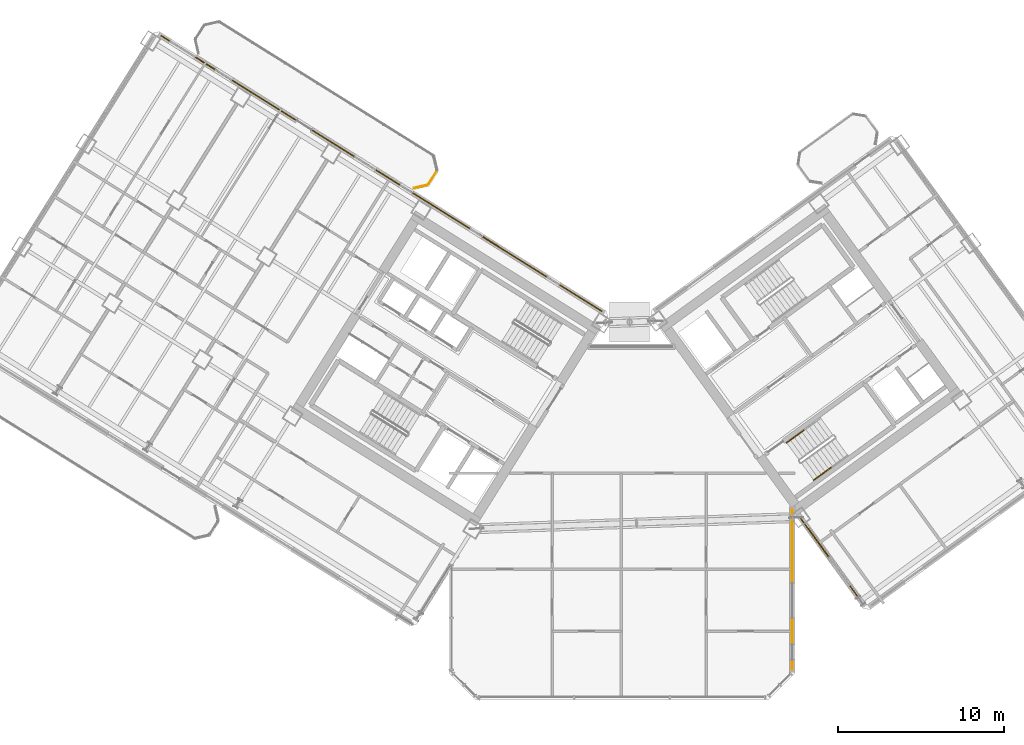
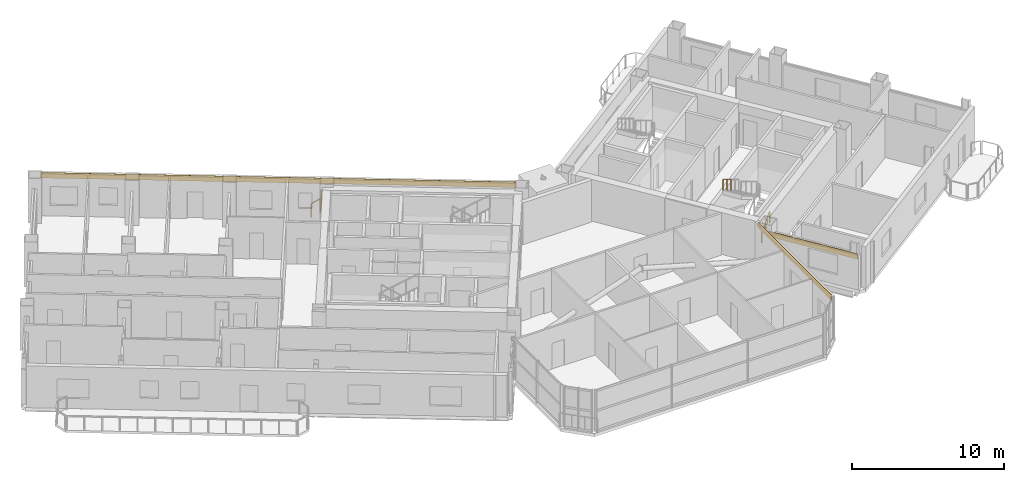
# One storey, part 26 of 29: 4 railings, 3 coverings.
"""IFC4 building model written with IfcOpenShell, lengths in metres."""

from ifc_helpers import new_model, si_unit, direction, frame, origin, origin_2d, place, context, subcontext, project, spatial, rectangle, extrude, source, transform, mapped, material, layer, layer_set, type_object, element, save


model = new_model("IFC4")

# Units and contexts
model_context = context("Model", 3, precision=1e-05, world=origin(), true_north=direction((0.0, 1.0)))
body_context = subcontext(model_context, "Body", "Model", "MODEL_VIEW")
ifc_project = project(units=[si_unit("LENGTHUNIT", "METRE"), si_unit("AREAUNIT", "SQUARE_METRE"), si_unit("VOLUMEUNIT", "CUBIC_METRE"), si_unit("PLANEANGLEUNIT", "RADIAN"), si_unit("MASSUNIT", "GRAM", prefix="KILO")], contexts=[model_context])

# Site, building, storey
site_placement = place(None, origin())
site = spatial("IfcSite", under=ifc_project, at=site_placement, CompositionType="ELEMENT")
building_placement = place(site_placement, origin())
building = spatial("IfcBuilding", under=site, at=building_placement, Name="Tlacorven Tower", CompositionType="ELEMENT")
storey_placement = place(building_placement, frame((0.0, 0.0, 151.5)))
storey = spatial("IfcBuildingStorey", under=building, at=storey_placement, Name="L38", CompositionType="ELEMENT", Elevation=151.5)

# Railings
ifc_material_1 = material(Name="Aluminium and painted steel balustrade", Category="steel")
railing_type_1 = type_object("IfcRailingType", Name="RL-BAL-1100", PredefinedType="BALUSTRADE", material=ifc_material_1)
shared_shape_1 = source(origin(), body_context, "Body", "SweptSolid", [
    extrude(rectangle(XDim=0.048095703125, YDim=0.048095703125, at=origin_2d()), frame((0.0, 0.0, 1.076171875), z_axis=(-0.52987865805, -0.848073468364, 0.0), x_axis=(0.848073468364, -0.52987865805, 0.0)), (0.0, 0.0, 1.0), 0.912353515625),
    extrude(rectangle(XDim=0.0419921875, YDim=0.0419921875, at=origin_2d()), origin(), (0.0, 0.0, 1.0), 1.052001953125),
    extrude(rectangle(XDim=0.0419921875, YDim=0.0419921875, at=origin_2d()), frame((-0.4833984375, -0.773681640625, 0.0)), (0.0, 0.0, 1.0), 1.052001953125),
])
railing_1_placement = place(storey_placement, frame((30.845947265625, 33.588623046875, 0.0)))
element("IfcRailing", 1, at=railing_1_placement, inside=storey, type_object=railing_type_1, Name="BAL-L38-W-IN Guard Railing 2", PredefinedType="BALUSTRADE", context=body_context, shape_type="MappedRepresentation", body=[
    mapped(shared_shape_1, transform((0.0, 0.0, 0.0), scale=1.0)),
])
shared_shape_2 = source(origin(), body_context, "Body", "SweptSolid", [
    extrude(rectangle(XDim=0.048095703125, YDim=0.048095703125, at=origin_2d()), frame((0.0, 0.0, 1.076171875), z_axis=(-0.974345290916, -0.225058334816, 0.0), x_axis=(0.225058334816, -0.974345290916, 0.0)), (0.0, 0.0, 1.0), 0.80712890625),
    extrude(rectangle(XDim=0.0419921875, YDim=0.0419921875, at=origin_2d()), origin(), (0.0, 0.0, 1.0), 1.052001953125),
    extrude(rectangle(XDim=0.0419921875, YDim=0.0419921875, at=origin_2d()), frame((-0.786376953125, -0.181640625, 0.0)), (0.0, 0.0, 1.0), 1.052001953125),
])
railing_2_placement = place(storey_placement, frame((30.287353515625, 32.761474609375, 0.0)))
element("IfcRailing", 2, at=railing_2_placement, inside=storey, type_object=railing_type_1, Name="BAL-L38-W-IN Guard Railing 3", PredefinedType="BALUSTRADE", context=body_context, shape_type="MappedRepresentation", body=[
    mapped(shared_shape_2, transform((0.0, 0.0, 0.0), scale=1.0)),
])

# Coverings
ifc_material_2 = material(Name="Precast concrete C45/55", Category="concrete")
ifc_layer = layer(ifc_material_2, 0.06005859375)
ifc_layer_set = layer_set([ifc_layer], Name="Precast concrete C45/55")
covering_type = type_object("IfcCoveringType", Name="CV-CLD-TERC", PredefinedType="CLADDING", material=ifc_layer_set)
shared_shape_3 = source(origin(), body_context, "Body", "SweptSolid", [
    extrude(rectangle(XDim=31.287353515625, YDim=0.06005859375, at=origin_2d()), origin(), (0.0, 0.0, 1.0), 0.419921875),
])
covering_1_placement = place(storey_placement, frame((27.5322265625, 33.455810546875, 2.929931640625), z_axis=(0.0, 0.0, 1.0), x_axis=(0.84804812172, -0.529919223323, 0.0)))
element("IfcCovering", 3, at=covering_1_placement, inside=storey, type_object=covering_type, Name="L38 Masonry-Frame Spandrel Cladding 3", PredefinedType="CLADDING", context=body_context, shape_type="MappedRepresentation", body=[
    mapped(shared_shape_3, transform((0.0, 0.0, 0.0), scale=1.0)),
])
shared_shape_4 = source(origin(), body_context, "Body", "SweptSolid", [
    extrude(rectangle(XDim=9.647705078125, YDim=0.06005859375, at=origin_2d()), origin(), (0.0, 0.0, 1.0), 0.419921875),
])
covering_2_placement = place(storey_placement, frame((52.239990234375, 8.440185546875, 2.929931640625), z_axis=(0.0, 0.0, 1.0), x_axis=(0.0, -1.0, 0.0)))
element("IfcCovering", 4, at=covering_2_placement, inside=storey, type_object=covering_type, Name="L38 Masonry-Frame Spandrel Cladding 9", PredefinedType="CLADDING", context=body_context, shape_type="MappedRepresentation", body=[
    mapped(shared_shape_4, transform((0.0, 0.0, 0.0), scale=1.0)),
])
shared_shape_5 = source(origin(), body_context, "Body", "SweptSolid", [
    extrude(rectangle(XDim=6.523681640625, YDim=0.06005859375, at=origin_2d()), origin(), (0.0, 0.0, 1.0), 0.419921875),
])
covering_3_placement = place(storey_placement, frame((54.57568359375, 10.19921875, 2.35498046875), z_axis=(0.0, 0.0, 1.0), x_axis=(-0.587785622053, 0.809016725728, 0.0)))
element("IfcCovering", 5, at=covering_3_placement, inside=storey, type_object=covering_type, Name="L38 Masonry-Frame Spandrel Cladding 8", PredefinedType="CLADDING", context=body_context, shape_type="MappedRepresentation", body=[
    mapped(shared_shape_5, transform((0.0, 0.0, 0.0), scale=1.0)),
])

# Railings
railing_type_2 = type_object("IfcRailingType", Name="RL-HND-0900", PredefinedType="HANDRAIL", material=ifc_material_1)
shared_shape_6 = source(origin(), body_context, "Body", "SweptSolid", [
    extrude(rectangle(XDim=0.048095703125, YDim=0.048095703125, at=origin_2d()), frame((0.0, 0.0, 0.8759765625), z_axis=(-0.680461216233, -0.494495647917, 0.540783309093), x_axis=(0.587872112667, -0.808953879494, 0.0)), (0.0, 0.0, 1.0), 1.498046875),
    extrude(rectangle(XDim=0.0419921875, YDim=0.0419921875, at=origin_2d()), origin(), (0.0, 0.0, 1.0), 0.851806640625),
    extrude(rectangle(XDim=0.0419921875, YDim=0.0419921875, at=origin_2d()), frame((-0.509765625, -0.370361328125, 0.405029296875)), (0.0, 0.0, 1.0), 0.851806640625),
    extrude(rectangle(XDim=0.0419921875, YDim=0.0419921875, at=origin_2d()), frame((-1.019287109375, -0.74072265625, 0.81005859375)), (0.0, 0.0, 1.0), 0.851806640625),
])
railing_3_placement = place(storey_placement, frame((52.9189453125, 18.0087890625, 2.7900390625)))
element("IfcRailing", 6, at=railing_3_placement, inside=storey, type_object=railing_type_2, Name="L38 ST-E2 stair handrail 4", PredefinedType="HANDRAIL", context=body_context, shape_type="MappedRepresentation", body=[
    mapped(shared_shape_6, transform((0.0, 0.0, 0.0), scale=1.0)),
])
shared_shape_7 = source(origin(), body_context, "Body", "SweptSolid", [
    extrude(rectangle(XDim=0.048095703125, YDim=0.048095703125, at=origin_2d()), frame((0.0, 0.0, 0.8759765625), z_axis=(0.680461216233, 0.494495647917, 0.540783309093), x_axis=(-0.587872112667, 0.808953879494, 0.0)), (0.0, 0.0, 1.0), 1.498046875),
    extrude(rectangle(XDim=0.0419921875, YDim=0.0419921875, at=origin_2d()), origin(), (0.0, 0.0, 1.0), 0.851806640625),
    extrude(rectangle(XDim=0.0419921875, YDim=0.0419921875, at=origin_2d()), frame((0.509765625, 0.370361328125, 0.405029296875)), (0.0, 0.0, 1.0), 0.851806640625),
    extrude(rectangle(XDim=0.0419921875, YDim=0.0419921875, at=origin_2d()), frame((1.019287109375, 0.74072265625, 0.81005859375)), (0.0, 0.0, 1.0), 0.851806640625),
])
railing_4_placement = place(storey_placement, frame((53.53369140625, 15.01904296875, 0.179931640625)))
element("IfcRailing", 7, at=railing_4_placement, inside=storey, type_object=railing_type_2, Name="L38 ST-E2 stair handrail 1", PredefinedType="HANDRAIL", context=body_context, shape_type="MappedRepresentation", body=[
    mapped(shared_shape_7, transform((0.0, 0.0, 0.0), scale=1.0)),
])

save(model, "model.ifc")
